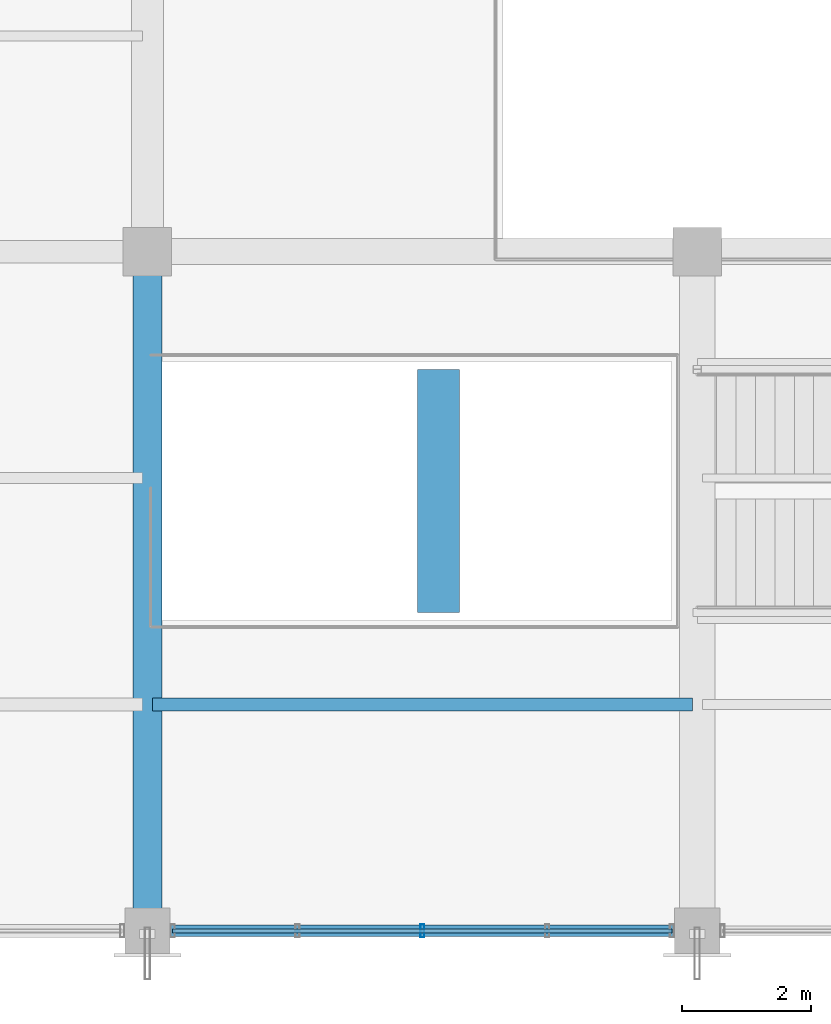
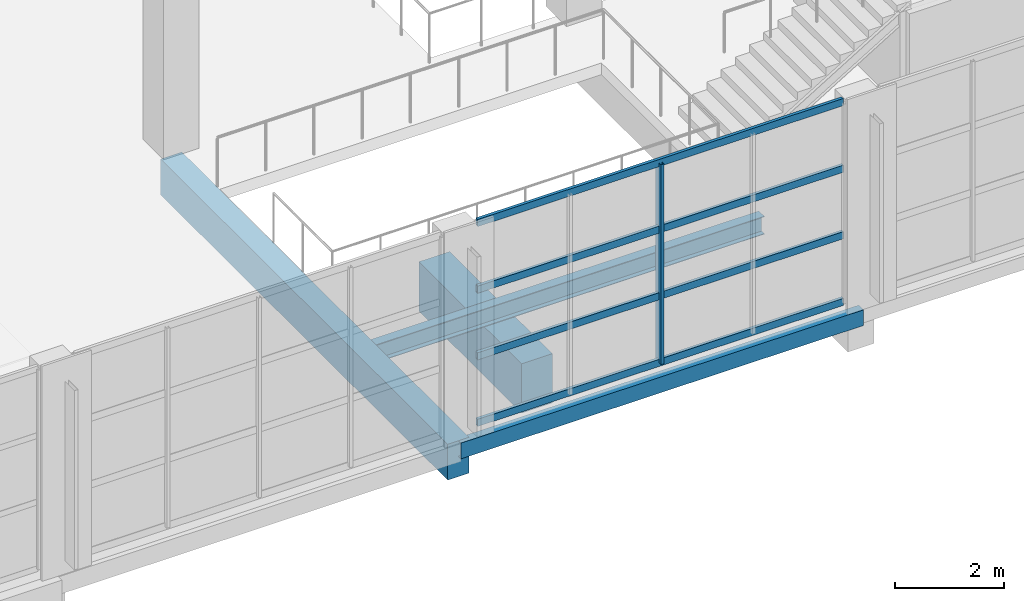
# One storey, part 15 of 112: 5 members, 4 beams, 1 element without a shape of its own.
"""IFC4 building model written with IfcOpenShell, lengths in metres."""

from ifc_helpers import new_model, si_unit, direction, frame, origin, origin_2d, place, context, subcontext, project, spatial, rectangle, hollow_rectangle, i_section, extrude, material, material_profile, profile_set, type_object, element, aggregate, save


model = new_model("IFC4")

# Units and contexts
model_context = context("Model", 3, precision=1e-05, world=origin(), true_north=direction((0.0, 1.0)))
body_context = subcontext(model_context, "Body", "Model", "MODEL_VIEW")
ifc_project = project(units=[si_unit("LENGTHUNIT", "METRE"), si_unit("AREAUNIT", "SQUARE_METRE"), si_unit("VOLUMEUNIT", "CUBIC_METRE"), si_unit("PLANEANGLEUNIT", "RADIAN"), si_unit("MASSUNIT", "GRAM", prefix="KILO")], contexts=[model_context])

# Site, building, storey
site_placement = place(None, origin())
site = spatial("IfcSite", under=ifc_project, at=site_placement, CompositionType="ELEMENT")
building_placement = place(site_placement, origin())
building = spatial("IfcBuilding", under=site, at=building_placement, Name="Solvikara Media Centre", CompositionType="ELEMENT")
storey_placement = place(building_placement, frame((0.0, 0.0, 5.39990234375)))
storey = spatial("IfcBuildingStorey", under=building, at=storey_placement, Name="L01", CompositionType="ELEMENT", Elevation=5.39990234375)

# Beams
ifc_material_1 = material(Name="Concrete fc' 35 MPa (C35/45)", Category="concrete")
ifc_material_profile_1 = material_profile(ifc_material_1, rectangle(XDim=0.449951171875, YDim=0.800048828125, at=origin_2d()), Name="RC 450x800")
ifc_profile_set_1 = profile_set([ifc_material_profile_1], Name="Concrete fc' 35 MPa (C35/45)")
beam_type_1 = type_object("IfcBeamType", Name="BM-06", PredefinedType="BEAM", material=ifc_profile_set_1)
beam_1_placement = place(storey_placement, frame((42.5, 0.0, -0.659912109375), z_axis=(0.0, 1.0, 0.0), x_axis=(-1.0, 0.0, 0.0)))
element("IfcBeam", 1, at=beam_1_placement, inside=storey, type_object=beam_type_1, Name="B-L01-Y0582", PredefinedType="BEAM", context=body_context, shape_type="SweptSolid", body=[
    extrude(rectangle(XDim=0.449951171875, YDim=0.800048828125, at=origin_2d()), origin(), (0.0, 0.0, 1.0), 10.5),
])
ifc_material_2 = material(Name="Concrete fc' 45 MPa (C45/55)", Category="concrete")
ifc_material_profile_2 = material_profile(ifc_material_2, rectangle(XDim=0.64990234375, YDim=1.10009765625, at=origin_2d()), Name="RC 650x1100")
ifc_profile_set_2 = profile_set([ifc_material_profile_2], Name="Concrete fc' 45 MPa (C45/55)")
beam_type_2 = type_object("IfcBeamType", Name="BM-12", PredefinedType="BEAM", material=ifc_profile_set_2)
beam_2_placement = place(storey_placement, frame((47.0, 4.919921875, -3.539794921875), z_axis=(0.0, 1.0, 0.0), x_axis=(-1.0, 0.0, 0.0)))
element("IfcBeam", 2, at=beam_2_placement, inside=storey, type_object=beam_type_2, Name="B-FOY1-MID", PredefinedType="BEAM", context=body_context, shape_type="SweptSolid", body=[
    extrude(rectangle(XDim=0.64990234375, YDim=1.10009765625, at=origin_2d()), origin(), (0.0, 0.0, 1.0), 3.760009765625),
])
ifc_material_3 = material(Name="Steel S355JR", Category="steel")
ifc_material_profile_3 = material_profile(ifc_material_3, i_section(OverallWidth=0.199951171875, OverallDepth=0.39990234375, WebThickness=0.008056640625, FlangeThickness=0.012939453125, at=origin_2d()), Name="WF 400x200x8x13")
ifc_profile_set_3 = profile_set([ifc_material_profile_3], Name="Steel S355JR")
beam_type_3 = type_object("IfcBeamType", Name="BM-21", PredefinedType="JOIST", material=ifc_profile_set_3)
beam_3_placement = place(storey_placement, frame((42.577880859375, 3.5, -0.4619140625), z_axis=(1.0, 0.0, 0.0), x_axis=(0.0, 1.0, 0.0)))
element("IfcBeam", 3, at=beam_3_placement, inside=storey, type_object=beam_type_3, Name="J-L01-0737", PredefinedType="JOIST", context=body_context, shape_type="SweptSolid", body=[
    extrude(i_section(OverallWidth=0.199951171875, OverallDepth=0.39990234375, WebThickness=0.008056640625, FlangeThickness=0.012939453125, at=origin_2d()), origin(), (0.0, 0.0, 1.0), 8.34423828125),
])
ifc_material_profile_4 = material_profile(ifc_material_3, hollow_rectangle(XDim=0.175048828125, YDim=0.35009765625, WallThickness=0.010009765625, at=origin_2d()), Name="RHS 350x175x10")
ifc_profile_set_4 = profile_set([ifc_material_profile_4], Name="Steel S355JR")
beam_type_4 = type_object("IfcBeamType", Name="BM-34", PredefinedType="SPANDREL", material=ifc_profile_set_4)
beam_4_placement = place(storey_placement, frame((42.5, 0.0, -0.43701171875), z_axis=(1.0, 0.0, 0.0), x_axis=(0.0, 1.0, 0.0)))
element("IfcBeam", 4, at=beam_4_placement, inside=storey, type_object=beam_type_4, Name="B-L01-X0444", PredefinedType="SPANDREL", context=body_context, shape_type="SweptSolid", body=[
    extrude(hollow_rectangle(XDim=0.175048828125, YDim=0.35009765625, WallThickness=0.010009765625, at=origin_2d()), origin(), (0.0, 0.0, 1.0), 8.5),
])

# Curtain wall, members
ifc_material_4 = material(Name="Anodised aluminium EN AW-6063", Category="aluminium")
curtain_wall_type = type_object("IfcCurtainWallType", Name="CW-04", PredefinedType="NOTDEFINED", material=ifc_material_4)
curtain_wall_placement = place(storey_placement, origin())
curtain_wall = element("IfcCurtainWall", 5, at=curtain_wall_placement, inside=storey, type_object=curtain_wall_type, Name="CW-L01-V6S-2", PredefinedType="NOTDEFINED")
ifc_material_profile_5 = material_profile(ifc_material_4, hollow_rectangle(XDim=0.06494140625, YDim=0.199951171875, WallThickness=0.00390625, at=origin_2d()), Name="ALU-M 65x200x4")
ifc_profile_set_5 = profile_set([ifc_material_profile_5], Name="Anodised aluminium EN AW-6063")
member_type_1 = type_object("IfcMemberType", Name="MF-02", PredefinedType="MULLION", material=ifc_profile_set_5)
member_1_placement = place(storey_placement, frame((46.75, 0.0, 0.02001953125), z_axis=(0.0, 0.0, 1.0), x_axis=(1.0, 0.0, 0.0)))
member_1 = element("IfcMember", 6, at=member_1_placement, type_object=member_type_1, Name="CW-L01-V6S-2-M02", PredefinedType="MULLION", context=body_context, shape_type="SweptSolid", body=[
    extrude(hollow_rectangle(XDim=0.06494140625, YDim=0.199951171875, WallThickness=0.00390625, at=origin_2d()), origin(), (0.0, 0.0, 1.0), 4.4599609375),
])
ifc_material_profile_6 = material_profile(ifc_material_4, hollow_rectangle(XDim=0.06494140625, YDim=0.159912109375, WallThickness=0.00341796875, at=origin_2d()), Name="ALU-T 65x160x3.5")
ifc_profile_set_6 = profile_set([ifc_material_profile_6], Name="Anodised aluminium EN AW-6063")
member_type_2 = type_object("IfcMemberType", Name="MF-08", PredefinedType="USERDEFINED", material=ifc_profile_set_6)
member_2_placement = place(storey_placement, frame((42.889892578125, 0.0, 0.02001953125), z_axis=(1.0, 0.0, 0.0), x_axis=(0.0, 1.0, 0.0)))
member_2 = element("IfcMember", 7, at=member_2_placement, type_object=member_type_2, Name="CW-L01-V6S-2-T00", ObjectType="TRANSOM", PredefinedType="USERDEFINED", context=body_context, shape_type="SweptSolid", body=[
    extrude(hollow_rectangle(XDim=0.06494140625, YDim=0.159912109375, WallThickness=0.00341796875, at=origin_2d()), origin(), (0.0, 0.0, 1.0), 7.72021484375),
])
member_3_placement = place(storey_placement, frame((42.889892578125, 0.0, 1.507080078125), z_axis=(1.0, 0.0, 0.0), x_axis=(0.0, 1.0, 0.0)))
member_3 = element("IfcMember", 8, at=member_3_placement, type_object=member_type_2, Name="CW-L01-V6S-2-T01", ObjectType="TRANSOM", PredefinedType="USERDEFINED", context=body_context, shape_type="SweptSolid", body=[
    extrude(hollow_rectangle(XDim=0.06494140625, YDim=0.159912109375, WallThickness=0.00341796875, at=origin_2d()), origin(), (0.0, 0.0, 1.0), 7.72021484375),
])
member_4_placement = place(storey_placement, frame((42.889892578125, 0.0, 2.9931640625), z_axis=(1.0, 0.0, 0.0), x_axis=(0.0, 1.0, 0.0)))
member_4 = element("IfcMember", 9, at=member_4_placement, type_object=member_type_2, Name="CW-L01-V6S-2-T02", ObjectType="TRANSOM", PredefinedType="USERDEFINED", context=body_context, shape_type="SweptSolid", body=[
    extrude(hollow_rectangle(XDim=0.06494140625, YDim=0.159912109375, WallThickness=0.00341796875, at=origin_2d()), origin(), (0.0, 0.0, 1.0), 7.72021484375),
])
member_5_placement = place(storey_placement, frame((42.889892578125, 0.0, 4.47998046875), z_axis=(1.0, 0.0, 0.0), x_axis=(0.0, 1.0, 0.0)))
member_5 = element("IfcMember", 10, at=member_5_placement, type_object=member_type_2, Name="CW-L01-V6S-2-T03", ObjectType="TRANSOM", PredefinedType="USERDEFINED", context=body_context, shape_type="SweptSolid", body=[
    extrude(hollow_rectangle(XDim=0.06494140625, YDim=0.159912109375, WallThickness=0.00341796875, at=origin_2d()), origin(), (0.0, 0.0, 1.0), 7.72021484375),
])
aggregate(curtain_wall, [member_1, member_2, member_3, member_4, member_5])

save(model, "model.ifc")
